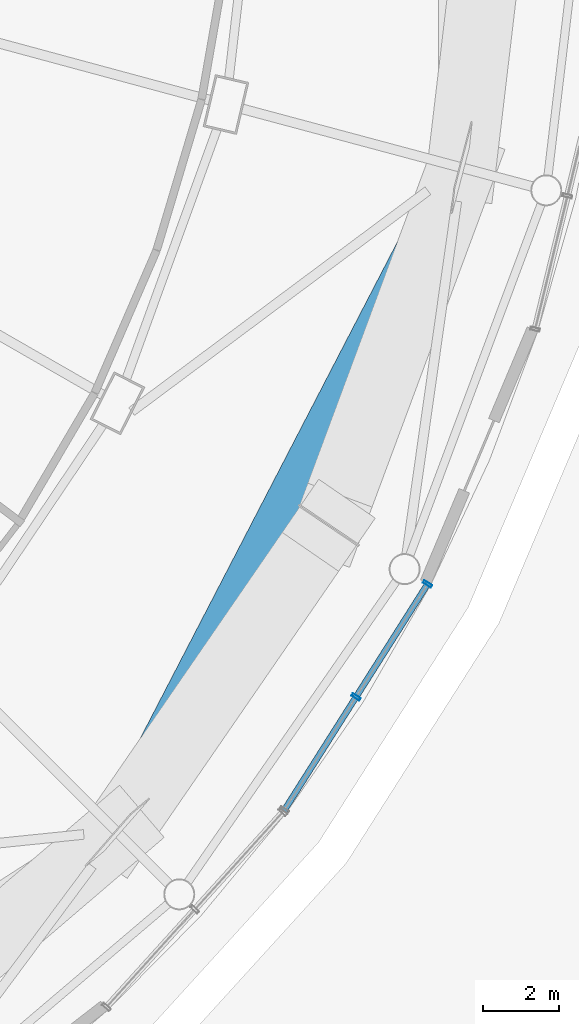
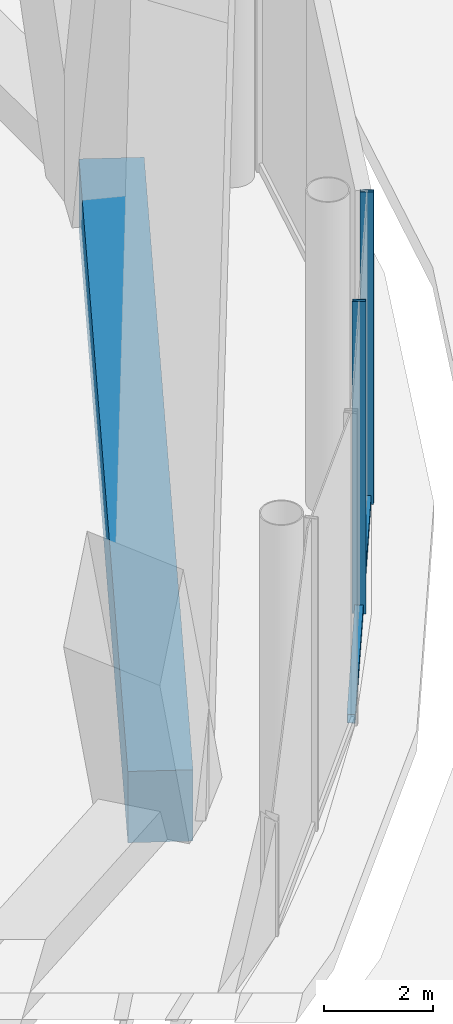
# One storey, part 32 of 67: 4 members, 1 element without a shape of its own.
"""IFC4 building model written with IfcOpenShell, lengths in metres."""

import ifcopenshell
import ifcopenshell.guid

model = None  # the IFC model being written
_history = None  # IfcOwnerHistory: only IFC2X3 demands one
_inside = {}  # id of a spatial element -> (the spatial element, [elements in it])
_under = {}  # id of a project, library or spatial element -> (it, [spatial elements below it])
_declared = {}  # id of a project -> (the project, [libraries it declares])
_typed = {}  # id of a type object -> (the type object, [elements of that type])
_made_of = {}  # id of a material, layer set ... -> (it, [elements and type objects made of it])


def new_model(schema):
    """Start an empty IFC model of exactly this schema.

    Asked for "IFC4X3", IfcOpenShell would pick the latest addendum, in which some entities
    have other attributes; the version numbers below select the first issue.
    IFC2X3 requires an IfcOwnerHistory on every rooted entity: one is made here for all.
    """
    global model, _history
    if schema == "IFC4X3":
        model = ifcopenshell.file(schema_version=(4, 3, 0, 0))
    else:
        model = ifcopenshell.file(schema=schema)
    _inside.clear()
    _under.clear()
    _declared.clear()
    _typed.clear()
    _made_of.clear()
    _history = None
    if model.schema == "IFC2X3":
        org = make("IfcOrganization", Name="unknown")
        user = make(
            "IfcPersonAndOrganization",
            ThePerson=make("IfcPerson", FamilyName="unknown"),
            TheOrganization=org,
        )
        app = make(
            "IfcApplication",
            ApplicationDeveloper=org,
            Version="unknown",
            ApplicationFullName="unknown",
            ApplicationIdentifier="unknown",
        )
        _history = make(
            "IfcOwnerHistory",
            OwningUser=user,
            OwningApplication=app,
            ChangeAction="ADDED",
            CreationDate=0,
        )
    return model


def make(cls, **values):
    """One entity of the class cls with the attributes given. An attribute that is None is left unset."""
    return model.create_entity(
        cls, **{name: value for name, value in values.items() if value is not None}
    )


def rooted(cls, **values):
    """An entity with a GlobalId (a new one), such as an element, a storey or a relation."""
    return make(cls, GlobalId=ifcopenshell.guid.new(), OwnerHistory=_history, **values)


def si_unit(unit_type, name, prefix=None):
    """IfcSIUnit, for example si_unit("LENGTHUNIT", "METRE", prefix="MILLI")."""
    return make("IfcSIUnit", UnitType=unit_type, Prefix=prefix, Name=name)


def assignment(units):
    """IfcUnitAssignment: the units of a project."""
    return None if units is None else make("IfcUnitAssignment", Units=units)


def point(xyz):
    """IfcCartesianPoint."""
    return None if xyz is None else make("IfcCartesianPoint", Coordinates=xyz)


def direction(xyz):
    """IfcDirection."""
    return None if xyz is None else make("IfcDirection", DirectionRatios=xyz)


def frame(location, z_axis=None, x_axis=None):
    """IfcAxis2Placement3D, a coordinate frame: its origin and axes. An axis left out is left unset."""
    return make(
        "IfcAxis2Placement3D",
        Location=point(location),
        Axis=direction(z_axis),
        RefDirection=direction(x_axis),
    )


def frame_2d(location, x_axis=None):
    """IfcAxis2Placement2D, a coordinate frame in the plane: its origin and x axis."""
    return make(
        "IfcAxis2Placement2D", Location=point(location), RefDirection=direction(x_axis)
    )


def origin():
    """The frame at (0, 0, 0) with its axes left unset."""
    return frame((0.0, 0.0, 0.0))


def origin_2d():
    """The frame at (0, 0) in the plane with its x axis left unset."""
    return frame_2d((0.0, 0.0))


def place(relative_to, where):
    """IfcLocalPlacement: puts the frame where relative to a parent placement (None: the world)."""
    return make(
        "IfcLocalPlacement", PlacementRelTo=relative_to, RelativePlacement=where
    )


def context(
    kind, dimensions, precision=None, world=None, true_north=None, identifier=None
):
    """IfcGeometricRepresentationContext, for example the 3D "Model" context."""
    return make(
        "IfcGeometricRepresentationContext",
        ContextIdentifier=identifier,
        ContextType=kind,
        CoordinateSpaceDimension=dimensions,
        Precision=precision,
        WorldCoordinateSystem=world,
        TrueNorth=true_north,
    )


def subcontext(parent, identifier, kind, view, scale=None):
    """IfcGeometricRepresentationSubContext, for example "Body" below "Model"."""
    return make(
        "IfcGeometricRepresentationSubContext",
        ContextIdentifier=identifier,
        ContextType=kind,
        ParentContext=parent,
        TargetScale=scale,
        TargetView=view,
    )


def project(units=None, contexts=None):
    """IfcProject with its units and contexts."""
    return rooted(
        "IfcProject",
        Name="project",
        RepresentationContexts=contexts,
        UnitsInContext=assignment(units),
    )


def spatial(cls, under=None, at=None, **own):
    """A site, building, storey or space (cls), placed at a placement, below another one or the project."""
    s = rooted(cls, ObjectPlacement=at, **own)
    if under is not None:
        _under.setdefault(under.id(), (under, []))[1].append(s)
    return s


def profile(cls, at=None, kind="AREA", **sizes):
    """A parametric profile (cls). Its sizes go by their IFC names, for example OverallWidth=200.0."""
    return make(cls, ProfileType=kind, Position=at, **sizes)


def rectangle(**sizes):
    """IfcRectangleProfileDef."""
    return profile("IfcRectangleProfileDef", **sizes)


def hollow_rectangle(**sizes):
    """IfcRectangleHollowProfileDef."""
    return profile("IfcRectangleHollowProfileDef", **sizes)


def extrude(swept, where, along, depth):
    """IfcExtrudedAreaSolid: the profile swept, set in the frame where, extruded along a direction by depth."""
    return make(
        "IfcExtrudedAreaSolid",
        SweptArea=swept,
        Position=where,
        ExtrudedDirection=direction(along),
        Depth=depth,
    )


def shape(context_of_items, identifier, shape_type, items):
    """IfcShapeRepresentation: the items that make up one representation, for example the "Body"."""
    return make(
        "IfcShapeRepresentation",
        ContextOfItems=context_of_items,
        RepresentationIdentifier=identifier,
        RepresentationType=shape_type,
        Items=items,
    )


def material(Name=None, Category=None):
    """IfcMaterial."""
    return make("IfcMaterial", Name=Name, Category=Category)


def layer(
    of_material, thickness, ventilated=None, Name=None, Category=None, Priority=None
):
    """IfcMaterialLayer: one layer of a wall or slab, of a material (None: an air gap)."""
    return make(
        "IfcMaterialLayer",
        Material=of_material,
        LayerThickness=thickness,
        IsVentilated=ventilated,
        Name=Name,
        Category=Category,
        Priority=Priority,
    )


def layer_set(layers, Name=None):
    """IfcMaterialLayerSet."""
    return make("IfcMaterialLayerSet", MaterialLayers=layers, LayerSetName=Name)


def material_profile(
    of_material, cross_section, Name=None, Category=None, Priority=None
):
    """IfcMaterialProfile: a cross section and its material."""
    return make(
        "IfcMaterialProfile",
        Name=Name,
        Material=of_material,
        Profile=cross_section,
        Priority=Priority,
        Category=Category,
    )


def profile_set(profiles, Name=None, composite=None):
    """IfcMaterialProfileSet."""
    return make(
        "IfcMaterialProfileSet",
        Name=Name,
        MaterialProfiles=profiles,
        CompositeProfile=composite,
    )


def made_of(thing, what):
    """Note that an element or type object is made of a material, layer set ...; save() writes the relation."""
    if what is not None:
        _made_of.setdefault(what.id(), (what, []))[1].append(thing)
    return thing


def type_object(cls, material=None, **own):
    """A type object (cls), such as IfcWallType, which elements share."""
    return made_of(rooted(cls, **own), material)


def element(
    cls,
    number,
    at=None,
    inside=None,
    cuts=None,
    type_object=None,
    material=None,
    context=None,
    identifier="Body",
    shape_type=None,
    held_by="IfcProductDefinitionShape",
    body=None,
    shapes=None,
    **own,
):
    """One element of the class cls, such as IfcWall. Its Tag is "e" and its number.

    at: its placement. inside: the storey or other place that contains it. cuts: it is an
    opening in that element (IfcRelVoidsElement). A single representation is given by context,
    identifier, shape_type and body (its items); several are given by shapes. held_by: the class
    of the entity that holds the representations. save() writes the other relations.
    """
    e = rooted(cls, Tag="e%d" % number, ObjectPlacement=at, **own)
    if body is not None:
        shapes = [shape(context, identifier, shape_type, body)]
    if shapes is not None:
        e.Representation = make(held_by, Representations=shapes)
    if inside is not None:
        _inside.setdefault(inside.id(), (inside, []))[1].append(e)
    if cuts is not None:
        rooted(
            "IfcRelVoidsElement", RelatingBuildingElement=cuts, RelatedOpeningElement=e
        )
    if type_object is not None:
        _typed.setdefault(type_object.id(), (type_object, []))[1].append(e)
    return made_of(e, material)


def aggregate(whole, parts):
    """IfcRelAggregates: a whole, such as a stair, and the parts it consists of."""
    return rooted("IfcRelAggregates", RelatingObject=whole, RelatedObjects=parts)


def save(model, path):
    """Write the relations noted so far, then the file.

    IfcRelAggregates (storeys below a building ...), IfcRelContainedInSpatialStructure (elements
    in a storey), IfcRelDefinesByType, IfcRelAssociatesMaterial and IfcRelDeclares: one each for
    every whole, place, type object, material and project.
    """
    for whole, parts in _under.values():
        aggregate(whole, parts)
    for where, things in _inside.values():
        rooted(
            "IfcRelContainedInSpatialStructure",
            RelatedElements=things,
            RelatingStructure=where,
        )
    for kind, things in _typed.values():
        rooted("IfcRelDefinesByType", RelatedObjects=things, RelatingType=kind)
    for what, things in _made_of.values():
        rooted("IfcRelAssociatesMaterial", RelatedObjects=things, RelatingMaterial=what)
    for by, libraries in _declared.values():
        rooted("IfcRelDeclares", RelatingContext=by, RelatedDefinitions=libraries)
    model.write(path)


model = new_model("IFC4")

# Units and contexts
model_context = context("Model", 3, precision=1e-05, world=origin(), true_north=direction((0.0, 1.0)))
body_context = subcontext(model_context, "Body", "Model", "MODEL_VIEW")
ifc_project = project(units=[si_unit("LENGTHUNIT", "METRE"), si_unit("AREAUNIT", "SQUARE_METRE"), si_unit("VOLUMEUNIT", "CUBIC_METRE"), si_unit("PLANEANGLEUNIT", "RADIAN"), si_unit("MASSUNIT", "GRAM", prefix="KILO")], contexts=[model_context])

# Site, building, storey
site_placement = place(None, origin())
site = spatial("IfcSite", under=ifc_project, at=site_placement, CompositionType="ELEMENT")
building_placement = place(site_placement, origin())
building = spatial("IfcBuilding", under=site, at=building_placement, Name="Nagisa Residences", CompositionType="ELEMENT")
storey_placement = place(building_placement, origin())
storey = spatial("IfcBuildingStorey", under=building, at=storey_placement, Name="L00", CompositionType="ELEMENT", Elevation=0.0)

# Curtain wall, members
ifc_material_1 = material(Name="Stainless steel curtain wall system", Category="steel")
ifc_layer = layer(ifc_material_1, 0.159912109375)
ifc_layer_set = layer_set([ifc_layer], Name="CW3 CURTAIN WALL")
curtain_wall_type = type_object("IfcCurtainWallType", Name="CW3 CURTAIN WALL", PredefinedType="NOTDEFINED", material=ifc_layer_set)
curtain_wall_placement = place(storey_placement, origin())
curtain_wall = element("IfcCurtainWall", 1, at=curtain_wall_placement, inside=storey, type_object=curtain_wall_type, Name="cw:CW3:L00:32", PredefinedType="NOTDEFINED")
ifc_material_2 = material(Name="Stainless steel", Category="steel")
ifc_material_profile_1 = material_profile(ifc_material_2, hollow_rectangle(XDim=0.25, YDim=0.080078125, WallThickness=0.008056640625, at=origin_2d()), Name="CW3 MULLION 250x80")
ifc_profile_set_1 = profile_set([ifc_material_profile_1], Name="Stainless steel")
member_type_1 = type_object("IfcMemberType", Name="CW3 MULLION 250x80", PredefinedType="MULLION", material=ifc_profile_set_1)
member_1_placement = place(storey_placement, frame((34.541748046875, -23.955810546875, 0.0), z_axis=(0.0, 0.0, 1.0), x_axis=(-0.844747368001, 0.535165286856, 0.0)))
member_1 = element("IfcMember", 2, at=member_1_placement, type_object=member_type_1, Name="CW3 mullion", PredefinedType="MULLION", context=body_context, shape_type="SweptSolid", body=[
    extrude(hollow_rectangle(XDim=0.25, YDim=0.080078125, WallThickness=0.008056640625, at=origin_2d()), origin(), (0.0, 0.0, 1.0), 7.0),
])
member_2_placement = place(storey_placement, frame((36.419921875, -20.990966796875, 0.0), z_axis=(0.0, 0.0, 1.0), x_axis=(-0.844747368001, 0.535165286856, 0.0)))
member_2 = element("IfcMember", 3, at=member_2_placement, type_object=member_type_1, Name="CW3 mullion", PredefinedType="MULLION", context=body_context, shape_type="SweptSolid", body=[
    extrude(hollow_rectangle(XDim=0.25, YDim=0.080078125, WallThickness=0.008056640625, at=origin_2d()), origin(), (0.0, 0.0, 1.0), 7.0),
])
ifc_material_3 = material(Name="Stainless steel", Category="steel")
ifc_material_profile_2 = material_profile(ifc_material_3, hollow_rectangle(XDim=0.159912109375, YDim=0.199951171875, WallThickness=0.008056640625, at=origin_2d()), Name="CW3 TRANSOM 160x200")
ifc_profile_set_2 = profile_set([ifc_material_profile_2], Name="Stainless steel")
member_type_2 = type_object("IfcMemberType", Name="CW3 TRANSOM 160x200", PredefinedType="USERDEFINED", material=ifc_profile_set_2)
member_3_placement = place(storey_placement, frame((32.64208984375, -26.954345703125, 0.10009765625), z_axis=(0.535169889444, 0.844744452147, 0.0), x_axis=(-0.844744452147, 0.535169889444, 0.0)))
member_3 = element("IfcMember", 4, at=member_3_placement, type_object=member_type_2, Name="CW3 transom", ObjectType="TRANSOM", PredefinedType="USERDEFINED", context=body_context, shape_type="SweptSolid", body=[
    extrude(hollow_rectangle(XDim=0.159912109375, YDim=0.199951171875, WallThickness=0.008056640625, at=origin_2d()), origin(), (0.0, 0.0, 1.0), 7.099365234375),
])
aggregate(curtain_wall, [member_1, member_2, member_3])

# Member
ifc_material_4 = material(Name="Concrete C80", Category="concrete")
ifc_material_profile_3 = material_profile(ifc_material_4, rectangle(XDim=1.199951171875, YDim=1.60009765625, at=origin_2d()), Name="C80 1200x1600")
ifc_profile_set_3 = profile_set([ifc_material_profile_3], Name="Concrete C80")
member_type_3 = type_object("IfcMemberType", Name="Cage ring 1 C80 1200x1600", PredefinedType="CHORD", material=ifc_profile_set_3)
member_4_placement = place(storey_placement, frame((28.278076171875, -27.50634765625, 0.0), z_axis=(0.459942644768, 0.887948626624, 0.0), x_axis=(-0.887948626624, 0.459942644768, 0.0)))
element("IfcMember", 5, at=member_4_placement, inside=storey, type_object=member_type_3, Name="beam:L00:cg1r011", PredefinedType="CHORD", context=body_context, shape_type="SweptSolid", body=[
    extrude(rectangle(XDim=1.199951171875, YDim=1.60009765625, at=origin_2d()), origin(), (0.0, 0.0, 1.0), 19.638671875),
])

save(model, "model.ifc")
